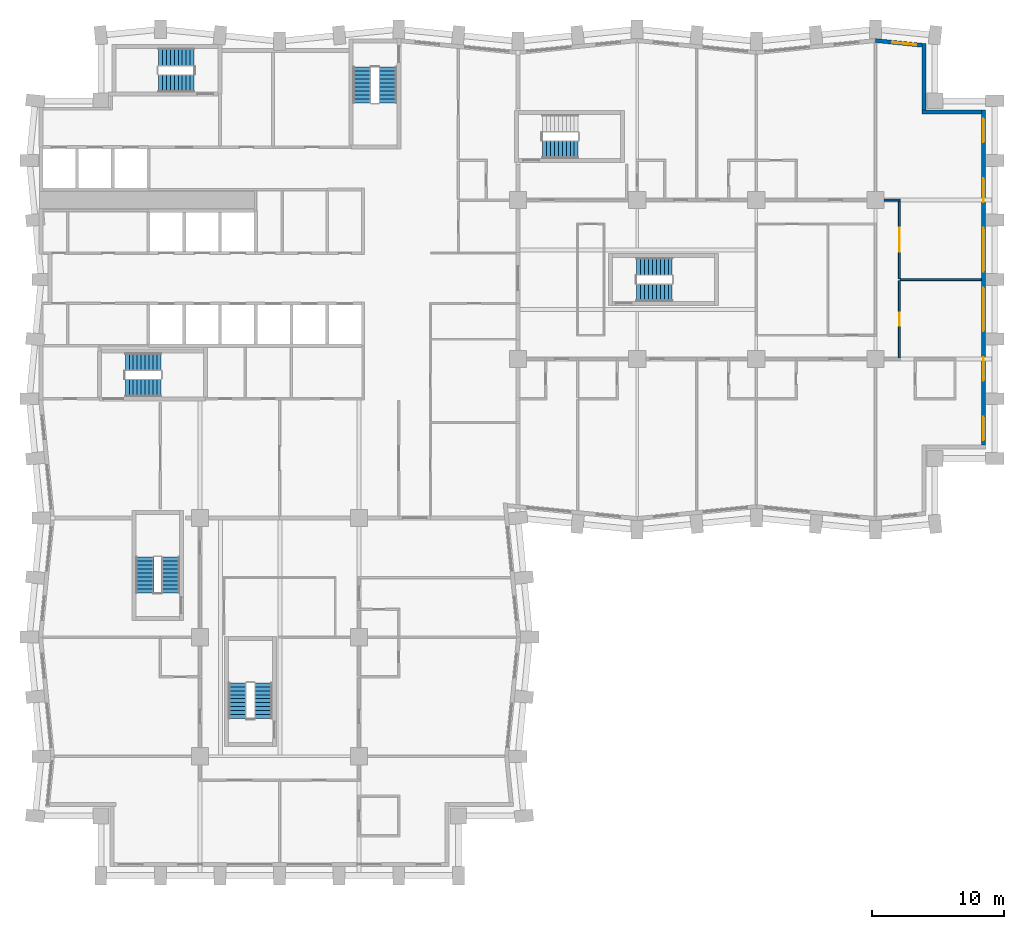
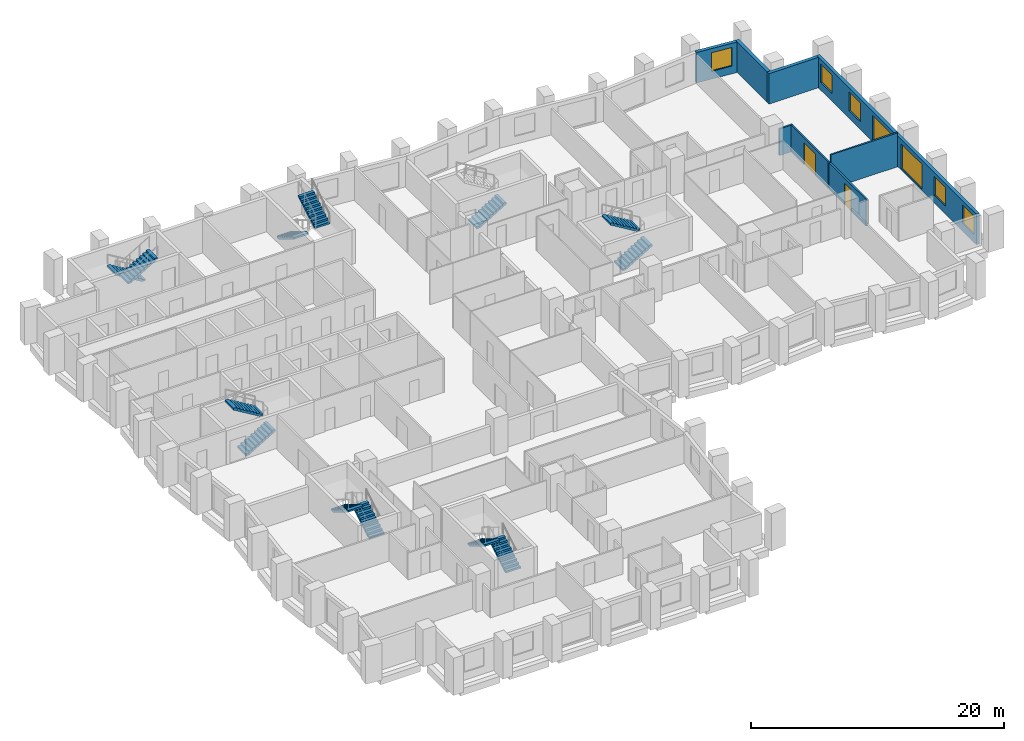
# One storey, part 10 of 13: 13 stair flights, 8 walls, 7 windows, 2 doors, 9 openings, 7 elements without a shape of their own.
"""IFC4 building model written with IfcOpenShell, lengths in metres."""

from ifc_helpers import new_model, si_unit, direction, frame, frame_2d, origin, place, context, subcontext, project, spatial, polyline, rectangle, outline, extrude, material, layer, layer_set, type_object, element, fill, aggregate, save


model = new_model("IFC4")

# Units and contexts
model_context = context("Model", 3, precision=1e-05, world=origin(), true_north=direction((0.0, 1.0)))
body_context = subcontext(model_context, "Body", "Model", "MODEL_VIEW")
ifc_project = project(units=[si_unit("LENGTHUNIT", "METRE"), si_unit("AREAUNIT", "SQUARE_METRE"), si_unit("VOLUMEUNIT", "CUBIC_METRE"), si_unit("PLANEANGLEUNIT", "RADIAN"), si_unit("MASSUNIT", "GRAM", prefix="KILO")], contexts=[model_context])

# Site, building, storey
site_placement = place(None, origin())
site = spatial("IfcSite", under=ifc_project, at=site_placement, CompositionType="ELEMENT")
building_placement = place(site_placement, origin())
building = spatial("IfcBuilding", under=site, at=building_placement, Name="Brondeck Convention Tower", CompositionType="ELEMENT")
storey_placement = place(building_placement, frame((0.0, 0.0, 48.300048828125)))
storey = spatial("IfcBuildingStorey", under=building, at=storey_placement, Name="L09", CompositionType="ELEMENT", Elevation=48.300048828125)

# Wall, openings, windows
ifc_material_1 = material(Name="Precast concrete C50/60 bronze finish", Category="concrete")
ifc_layer_1 = layer(ifc_material_1, 0.070068359375, Name="Bronze precast facing")
ifc_material_2 = material(Name="Mineral wool")
ifc_layer_2 = layer(ifc_material_2, 0.159912109375, Name="Insulation")
ifc_material_3 = material(Name="Concrete C35/45", Category="concrete")
ifc_layer_3 = layer(ifc_material_3, 0.070068359375, Name="Backing")
ifc_layer_set_1 = layer_set([ifc_layer_1, ifc_layer_2, ifc_layer_3], Name="External infill wall, precast concrete C50/60 bronze facing")
wall_type_1 = type_object("IfcWallType", Name="External infill wall, precast concrete C50/60 bronze facing", PredefinedType="SOLIDWALL", material=ifc_layer_set_1)
wall_1_placement = place(storey_placement, frame((71.14990234375, 57.800048828125, 0.0), z_axis=(0.0, 0.0, 1.0), x_axis=(0.0, -1.0, 0.0)))
wall_1 = element("IfcWall", 1, at=wall_1_placement, inside=storey, type_object=wall_type_1, Name="ENV-EW-L09-P0-A-E72-01", PredefinedType="SOLIDWALL", context=body_context, shape_type="SweptSolid", body=[
    extrude(rectangle(XDim=25.302001953125, YDim=0.300048828125, at=frame_2d((12.65087890625, 0.0))), origin(), (0.0, 0.0, 1.0), 2.949951171875),
])
opening_1_placement = place(wall_1_placement, frame((0.64990234375, 0.0, 0.75)))
opening_1 = element("IfcOpeningElement", 2, at=opening_1_placement, cuts=wall_1, Name="Opening W10", PredefinedType="OPENING", context=body_context, shape_type="SweptSolid", body=[
    extrude(rectangle(XDim=1.800048828125, YDim=1.800048828125, at=frame_2d((0.89990234375, 0.89990234375))), frame((0.0, 0.159912109375, 0.0), z_axis=(0.0, -1.0, 0.0), x_axis=(1.0, 0.0, 0.0)), (0.0, 0.0, 1.0), 0.320068359375),
])
opening_2_placement = place(wall_1_placement, frame((5.14990234375, 0.0, 0.75)))
opening_2 = element("IfcOpeningElement", 3, at=opening_2_placement, cuts=wall_1, Name="Opening W10", PredefinedType="OPENING", context=body_context, shape_type="SweptSolid", body=[
    extrude(rectangle(XDim=1.800048828125, YDim=1.800048828125, at=frame_2d((0.89990234375, 0.89990234375))), frame((0.0, 0.159912109375, 0.0), z_axis=(0.0, -1.0, 0.0), x_axis=(1.0, 0.0, 0.0)), (0.0, 0.0, 1.0), 0.320068359375),
])
opening_3_placement = place(wall_1_placement, frame((8.89990234375, 0.0, 0.14990234375)))
opening_3 = element("IfcOpeningElement", 4, at=opening_3_placement, cuts=wall_1, Name="Opening W9", PredefinedType="OPENING", context=body_context, shape_type="SweptSolid", body=[
    extrude(rectangle(XDim=3.300048828125, YDim=2.39990234375, at=frame_2d((1.64990234375, 1.199951171875))), frame((0.0, 0.159912109375, 0.0), z_axis=(0.0, -1.0, 0.0), x_axis=(1.0, 0.0, 0.0)), (0.0, 0.0, 1.0), 0.320068359375),
])
opening_4_placement = place(wall_1_placement, frame((13.39990234375, 0.0, 0.14990234375)))
opening_4 = element("IfcOpeningElement", 5, at=opening_4_placement, cuts=wall_1, Name="Opening W9", PredefinedType="OPENING", context=body_context, shape_type="SweptSolid", body=[
    extrude(rectangle(XDim=3.300048828125, YDim=2.39990234375, at=frame_2d((1.64990234375, 1.199951171875))), frame((0.0, 0.159912109375, 0.0), z_axis=(0.0, -1.0, 0.0), x_axis=(1.0, 0.0, 0.0)), (0.0, 0.0, 1.0), 0.320068359375),
])
opening_5_placement = place(wall_1_placement, frame((18.64990234375, 0.0, 0.75)))
opening_5 = element("IfcOpeningElement", 6, at=opening_5_placement, cuts=wall_1, Name="Opening W10", PredefinedType="OPENING", context=body_context, shape_type="SweptSolid", body=[
    extrude(rectangle(XDim=1.800048828125, YDim=1.800048828125, at=frame_2d((0.89990234375, 0.89990234375))), frame((0.0, 0.159912109375, 0.0), z_axis=(0.0, -1.0, 0.0), x_axis=(1.0, 0.0, 0.0)), (0.0, 0.0, 1.0), 0.320068359375),
])
opening_6_placement = place(wall_1_placement, frame((23.14990234375, 0.0, 0.75)))
opening_6 = element("IfcOpeningElement", 7, at=opening_6_placement, cuts=wall_1, Name="Opening W10", PredefinedType="OPENING", context=body_context, shape_type="SweptSolid", body=[
    extrude(rectangle(XDim=1.800048828125, YDim=1.800048828125, at=frame_2d((0.89990234375, 0.89990234375))), frame((0.0, 0.159912109375, 0.0), z_axis=(0.0, -1.0, 0.0), x_axis=(1.0, 0.0, 0.0)), (0.0, 0.0, 1.0), 0.320068359375),
])
ifc_material_4 = material(Name="Bronze tinted double glazing", Category="glass")
window_type_1 = type_object("IfcWindowType", Name="Glazed flute window, bronze tinted", PartitioningType="SINGLE_PANEL", PredefinedType="WINDOW", material=ifc_material_4)
window_1_placement = place(opening_3_placement, origin())
window_1 = element("IfcWindow", 8, at=window_1_placement, inside=storey, type_object=window_type_1, Name="ENV-WN-L09-P0-A-E72-04", OverallHeight=2.39990234375, OverallWidth=3.300048828125, PartitioningType="SINGLE_PANEL", PredefinedType="WINDOW", context=body_context, shape_type="SweptSolid", body=[
    extrude(rectangle(XDim=3.300048828125, YDim=2.39990234375, at=frame_2d((1.64990234375, 1.199951171875))), frame((0.0, 0.030029296875, 0.0), z_axis=(0.0, -1.0, 0.0), x_axis=(1.0, 0.0, 0.0)), (0.0, 0.0, 1.0), 0.06005859375),
])
fill(opening_3, window_1)
window_2_placement = place(opening_4_placement, origin())
window_2 = element("IfcWindow", 9, at=window_2_placement, inside=storey, type_object=window_type_1, Name="ENV-WN-L09-P0-A-E72-03", OverallHeight=2.39990234375, OverallWidth=3.300048828125, PartitioningType="SINGLE_PANEL", PredefinedType="WINDOW", context=body_context, shape_type="SweptSolid", body=[
    extrude(rectangle(XDim=3.300048828125, YDim=2.39990234375, at=frame_2d((1.64990234375, 1.199951171875))), frame((0.0, 0.030029296875, 0.0), z_axis=(0.0, -1.0, 0.0), x_axis=(1.0, 0.0, 0.0)), (0.0, 0.0, 1.0), 0.06005859375),
])
fill(opening_4, window_2)
window_type_2 = type_object("IfcWindowType", Name="Punched window, bronze tinted", PartitioningType="SINGLE_PANEL", PredefinedType="WINDOW", material=ifc_material_4)
window_3_placement = place(opening_1_placement, origin())
window_3 = element("IfcWindow", 10, at=window_3_placement, inside=storey, type_object=window_type_2, Name="ENV-WN-L09-P0-A-E72-06", OverallHeight=1.800048828125, OverallWidth=1.800048828125, PartitioningType="SINGLE_PANEL", PredefinedType="WINDOW", context=body_context, shape_type="SweptSolid", body=[
    extrude(rectangle(XDim=1.800048828125, YDim=1.800048828125, at=frame_2d((0.89990234375, 0.89990234375))), frame((0.0, 0.030029296875, 0.0), z_axis=(0.0, -1.0, 0.0), x_axis=(1.0, 0.0, 0.0)), (0.0, 0.0, 1.0), 0.06005859375),
])
fill(opening_1, window_3)
window_4_placement = place(opening_2_placement, origin())
window_4 = element("IfcWindow", 11, at=window_4_placement, inside=storey, type_object=window_type_2, Name="ENV-WN-L09-P0-A-E72-05", OverallHeight=1.800048828125, OverallWidth=1.800048828125, PartitioningType="SINGLE_PANEL", PredefinedType="WINDOW", context=body_context, shape_type="SweptSolid", body=[
    extrude(rectangle(XDim=1.800048828125, YDim=1.800048828125, at=frame_2d((0.89990234375, 0.89990234375))), frame((0.0, 0.030029296875, 0.0), z_axis=(0.0, -1.0, 0.0), x_axis=(1.0, 0.0, 0.0)), (0.0, 0.0, 1.0), 0.06005859375),
])
fill(opening_2, window_4)
window_5_placement = place(opening_5_placement, origin())
window_5 = element("IfcWindow", 12, at=window_5_placement, inside=storey, type_object=window_type_2, Name="ENV-WN-L09-P0-A-E72-02", OverallHeight=1.800048828125, OverallWidth=1.800048828125, PartitioningType="SINGLE_PANEL", PredefinedType="WINDOW", context=body_context, shape_type="SweptSolid", body=[
    extrude(rectangle(XDim=1.800048828125, YDim=1.800048828125, at=frame_2d((0.89990234375, 0.89990234375))), frame((0.0, 0.030029296875, 0.0), z_axis=(0.0, -1.0, 0.0), x_axis=(1.0, 0.0, 0.0)), (0.0, 0.0, 1.0), 0.06005859375),
])
fill(opening_5, window_5)
window_6_placement = place(opening_6_placement, origin())
window_6 = element("IfcWindow", 13, at=window_6_placement, inside=storey, type_object=window_type_2, Name="ENV-WN-L09-P0-A-E72-01", OverallHeight=1.800048828125, OverallWidth=1.800048828125, PartitioningType="SINGLE_PANEL", PredefinedType="WINDOW", context=body_context, shape_type="SweptSolid", body=[
    extrude(rectangle(XDim=1.800048828125, YDim=1.800048828125, at=frame_2d((0.89990234375, 0.89990234375))), frame((0.0, 0.030029296875, 0.0), z_axis=(0.0, -1.0, 0.0), x_axis=(1.0, 0.0, 0.0)), (0.0, 0.0, 1.0), 0.06005859375),
])
fill(opening_6, window_6)

# Walls
wall_2_placement = place(storey_placement, frame((66.5, 57.64990234375, 0.0), z_axis=(0.0, 0.0, 1.0), x_axis=(1.0, 0.0, 0.0)))
element("IfcWall", 14, at=wall_2_placement, inside=storey, type_object=wall_type_1, Name="ENV-EW-L09-P0-NC-NEA72-01", PredefinedType="SOLIDWALL", context=body_context, shape_type="SweptSolid", body=[
    extrude(rectangle(XDim=4.5, YDim=0.300048828125, at=frame_2d((2.25, 0.0))), origin(), (0.0, 0.0, 1.0), 2.949951171875),
])
wall_3_placement = place(storey_placement, frame((66.64990234375, 62.81640625, 0.0), z_axis=(0.0, 0.0, 1.0), x_axis=(0.0, -1.0, 0.0)))
element("IfcWall", 15, at=wall_3_placement, inside=storey, type_object=wall_type_1, Name="ENV-EW-L09-P0-NC-NEA72-02", PredefinedType="SOLIDWALL", context=body_context, shape_type="SweptSolid", body=[
    extrude(rectangle(XDim=5.018310546875, YDim=0.300048828125, at=frame_2d((2.50927734375, 0.0))), origin(), (0.0, 0.0, 1.0), 2.949951171875),
])

# Wall, opening, window
wall_4_placement = place(storey_placement, frame((62.985107421875, 63.04736328125, 0.0), z_axis=(0.0, 0.0, 1.0), x_axis=(0.995031712439, -0.099558481511, 0.0)))
wall_4 = element("IfcWall", 16, at=wall_4_placement, inside=storey, type_object=wall_type_1, Name="ENV-EW-L09-P0-A-N-14", PredefinedType="SOLIDWALL", context=body_context, shape_type="SweptSolid", body=[
    extrude(rectangle(XDim=3.53125, YDim=0.300048828125, at=frame_2d((1.765625, 0.0))), origin(), (0.0, 0.0, 1.0), 2.949951171875),
])
opening_7_placement = place(wall_4_placement, frame((1.291259765625, 0.0, 0.75)))
opening_7 = element("IfcOpeningElement", 17, at=opening_7_placement, cuts=wall_4, Name="Opening W10", PredefinedType="OPENING", context=body_context, shape_type="SweptSolid", body=[
    extrude(rectangle(XDim=1.800048828125, YDim=1.800048828125, at=frame_2d((0.89990234375, 0.89990234375))), frame((0.0, 0.159912109375, 0.0), z_axis=(0.0, -1.0, 0.0), x_axis=(1.0, 0.0, 0.0)), (0.0, 0.0, 1.0), 0.320068359375),
])
window_7_placement = place(opening_7_placement, origin())
window_7 = element("IfcWindow", 18, at=window_7_placement, inside=storey, type_object=window_type_2, Name="ENV-WN-L09-P0-A-N-14", OverallHeight=1.800048828125, OverallWidth=1.800048828125, PartitioningType="SINGLE_PANEL", PredefinedType="WINDOW", context=body_context, shape_type="SweptSolid", body=[
    extrude(rectangle(XDim=1.800048828125, YDim=1.800048828125, at=frame_2d((0.89990234375, 0.89990234375))), frame((0.0, 0.030029296875, 0.0), z_axis=(0.0, -1.0, 0.0), x_axis=(1.0, 0.0, 0.0)), (0.0, 0.0, 1.0), 0.06005859375),
])
fill(opening_7, window_7)

# Wall, opening, door
ifc_material_5 = material(Name="Double gypsum board acoustic wall")
ifc_layer_4 = layer(ifc_material_5, 0.14990234375)
ifc_layer_set_2 = layer_set([ifc_layer_4], Name="Guest room party wall 150")
wall_type_2 = type_object("IfcWallType", Name="Guest room party wall 150", PredefinedType="PARTITIONING", material=ifc_layer_set_2)
wall_5_placement = place(storey_placement, frame((64.800048828125, 44.925048828125, 0.0), z_axis=(0.0, 0.0, 1.0), x_axis=(0.0, -1.0, 0.0)))
wall_5 = element("IfcWall", 19, at=wall_5_placement, inside=storey, type_object=wall_type_2, Name="FLR-L09-W088", PredefinedType="PARTITIONING", context=body_context, shape_type="SweptSolid", body=[
    extrude(rectangle(XDim=5.85009765625, YDim=0.14990234375, at=frame_2d((2.925048828125, 0.0))), origin(), (0.0, 0.0, 1.0), 2.579833984375),
])
opening_8_placement = place(wall_5_placement, frame((2.425048828125, 0.0, 0.0)))
opening_8 = element("IfcOpeningElement", 20, at=opening_8_placement, cuts=wall_5, Name="Opening H2-020", PredefinedType="OPENING", context=body_context, shape_type="SweptSolid", body=[
    extrude(rectangle(XDim=1.0, YDim=2.10009765625, at=frame_2d((0.5, 1.050048828125))), frame((0.0, 0.0849609375, 0.0), z_axis=(0.0, -1.0, 0.0), x_axis=(1.0, 0.0, 0.0)), (0.0, 0.0, 1.0), 0.169921875),
])
ifc_material_6 = material(Name="Solid timber fire door leaf", Category="wood")
door_type_1 = type_object("IfcDoorType", Name="Guest room door 1000", OperationType="NOTDEFINED", PredefinedType="DOOR", material=ifc_material_6)
door_1_placement = place(opening_8_placement, origin())
door_1 = element("IfcDoor", 21, at=door_1_placement, inside=storey, type_object=door_type_1, Name="Door H2-020", OperationType="SINGLE_SWING_LEFT", OverallHeight=2.10009765625, OverallWidth=1.0, PredefinedType="DOOR", context=body_context, shape_type="SweptSolid", body=[
    extrude(rectangle(XDim=1.0, YDim=2.10009765625, at=frame_2d((0.5, 1.050048828125))), frame((0.0, 0.02490234375, 0.0), z_axis=(0.0, -1.0, 0.0), x_axis=(1.0, 0.0, 0.0)), (0.0, 0.0, 1.0), 0.050048828125),
])
fill(opening_8, door_1)

# Wall
wall_6_placement = place(storey_placement, frame((70.97998046875, 45.0, 0.0), z_axis=(0.0, 0.0, 1.0), x_axis=(-1.0, 0.0, 0.0)))
element("IfcWall", 22, at=wall_6_placement, inside=storey, type_object=wall_type_2, Name="FLR-L09-W089", PredefinedType="PARTITIONING", context=body_context, shape_type="SweptSolid", body=[
    extrude(rectangle(XDim=6.10498046875, YDim=0.14990234375, at=frame_2d((3.052490234375, 0.0))), origin(), (0.0, 0.0, 1.0), 3.280029296875),
])

# Wall, opening, door
wall_7_placement = place(storey_placement, frame((64.800048828125, 50.925048828125, 0.0), z_axis=(0.0, 0.0, 1.0), x_axis=(0.0, -1.0, 0.0)))
wall_7 = element("IfcWall", 23, at=wall_7_placement, inside=storey, type_object=wall_type_2, Name="FLR-L09-W102", PredefinedType="PARTITIONING", context=body_context, shape_type="SweptSolid", body=[
    extrude(rectangle(XDim=5.85009765625, YDim=0.14990234375, at=frame_2d((2.925048828125, 0.0))), origin(), (0.0, 0.0, 1.0), 2.579833984375),
])
opening_9_placement = place(wall_7_placement, frame((2.02490234375, 0.0, 0.0)))
opening_9 = element("IfcOpeningElement", 24, at=opening_9_placement, cuts=wall_7, Name="Opening H2-019", PredefinedType="OPENING", context=body_context, shape_type="SweptSolid", body=[
    extrude(rectangle(XDim=1.800048828125, YDim=2.10009765625, at=frame_2d((0.89990234375, 1.050048828125))), frame((0.0, 0.0849609375, 0.0), z_axis=(0.0, -1.0, 0.0), x_axis=(1.0, 0.0, 0.0)), (0.0, 0.0, 1.0), 0.169921875),
])
ifc_material_7 = material(Name="Glazed timber double door", Category="wood")
door_type_2 = type_object("IfcDoorType", Name="Double door 1800", OperationType="DOUBLE_DOOR_SINGLE_SWING", PredefinedType="DOOR", material=ifc_material_7)
door_2_placement = place(opening_9_placement, origin())
door_2 = element("IfcDoor", 25, at=door_2_placement, inside=storey, type_object=door_type_2, Name="Door H2-019", OperationType="DOUBLE_DOOR_SINGLE_SWING", OverallHeight=2.10009765625, OverallWidth=1.800048828125, PredefinedType="DOOR", context=body_context, shape_type="SweptSolid", body=[
    extrude(rectangle(XDim=1.800048828125, YDim=2.10009765625, at=frame_2d((0.89990234375, 1.050048828125))), frame((0.0, 0.02490234375, 0.0), z_axis=(0.0, -1.0, 0.0), x_axis=(1.0, 0.0, 0.0)), (0.0, 0.0, 1.0), 0.050048828125),
])
fill(opening_9, door_2)

# Wall
wall_8_placement = place(storey_placement, frame((63.655029296875, 51.0, 0.0), z_axis=(0.0, 0.0, 1.0), x_axis=(1.0, 0.0, 0.0)))
element("IfcWall", 26, at=wall_8_placement, inside=storey, type_object=wall_type_2, Name="FLR-L09-W113", PredefinedType="PARTITIONING", context=body_context, shape_type="SweptSolid", body=[
    extrude(rectangle(XDim=1.219970703125, YDim=0.14990234375, at=frame_2d((0.60986328125, 0.0))), origin(), (0.0, 0.0, 1.0), 2.579833984375),
])

# Stair, stair flights
ifc_material_8 = material(Name="Precast concrete C50/60", Category="concrete")
stair_type = type_object("IfcStairType", Name="Core stair 20 risers 180.00 mm riser 300 mm going 1350 wide", PredefinedType="HALF_TURN_STAIR", material=ifc_material_8)
stair_1_placement = place(storey_placement, origin())
stair_1 = element("IfcStair", 27, at=stair_1_placement, inside=storey, type_object=stair_type, Name="ST-1 L09 stair", PredefinedType="HALF_TURN_STAIR")
stair_flight_type = type_object("IfcStairFlightType", Name="Core stair flight 20 risers 180.00 mm riser 300 mm going 1350 wide", PredefinedType="STRAIGHT", material=ifc_material_8)
stair_flight_1_placement = place(storey_placement, frame((6.35009765625, 36.824951171875, 0.0), z_axis=(0.0, 0.0, 1.0), x_axis=(1.0, 0.0, 0.0)))
stair_flight_1 = element("IfcStairFlight", 28, at=stair_flight_1_placement, type_object=stair_flight_type, Name="ST-1 flight 1", NumberOfRisers=10, NumberOfTreads=9, PredefinedType="STRAIGHT", RiserHeight=0.18, TreadLength=0.3, context=body_context, shape_type="SweptSolid", body=[
    extrude(outline(polyline([(0.0, 0.0), (0.0, 0.179931640625), (0.300048828125, 0.179931640625), (0.300048828125, 0.360107421875), (0.60009765625, 0.360107421875), (0.60009765625, 0.5400390625), (0.89990234375, 0.5400390625), (0.89990234375, 0.719970703125), (1.199951171875, 0.719970703125), (1.199951171875, 0.89990234375), (1.5, 0.89990234375), (1.5, 1.080078125), (1.800048828125, 1.080078125), (1.800048828125, 1.260009765625), (2.10009765625, 1.260009765625), (2.10009765625, 1.43994140625), (2.39990234375, 1.43994140625), (2.39990234375, 1.6201171875), (2.699951171875, 1.6201171875), (2.699951171875, 1.800048828125), (2.699951171875, 1.445068359375), (0.291259765625, 0.0), (0.0, 0.0)])), frame((0.0, 0.675048828125, 0.0), z_axis=(0.0, -1.0, 0.0), x_axis=(1.0, 0.0, 0.0)), (0.0, 0.0, 1.0), 1.35009765625),
])
stair_flight_2_placement = place(storey_placement, frame((9.050048828125, 38.77490234375, 1.800048828125), z_axis=(0.0, 0.0, 1.0), x_axis=(-1.0, 0.0, 0.0)))
stair_flight_2 = element("IfcStairFlight", 29, at=stair_flight_2_placement, type_object=stair_flight_type, Name="ST-1 flight 2", NumberOfRisers=10, NumberOfTreads=9, PredefinedType="STRAIGHT", RiserHeight=0.18, TreadLength=0.3, context=body_context, shape_type="SweptSolid", body=[
    extrude(outline(polyline([(0.0, 0.0), (0.0, 0.179931640625), (0.300048828125, 0.179931640625), (0.300048828125, 0.360107421875), (0.60009765625, 0.360107421875), (0.60009765625, 0.5400390625), (0.89990234375, 0.5400390625), (0.89990234375, 0.719970703125), (1.199951171875, 0.719970703125), (1.199951171875, 0.89990234375), (1.5, 0.89990234375), (1.5, 1.080078125), (1.800048828125, 1.080078125), (1.800048828125, 1.260009765625), (2.10009765625, 1.260009765625), (2.10009765625, 1.43994140625), (2.39990234375, 1.43994140625), (2.39990234375, 1.6201171875), (2.699951171875, 1.6201171875), (2.699951171875, 1.800048828125), (2.699951171875, 1.445068359375), (0.291259765625, 0.0), (0.0, 0.0)])), frame((0.0, 0.675048828125, 0.0), z_axis=(0.0, -1.0, 0.0), x_axis=(1.0, 0.0, 0.0)), (0.0, 0.0, 1.0), 1.35009765625),
])
aggregate(stair_1, [stair_flight_1, stair_flight_2])

stair_2_placement = place(storey_placement, origin())
stair_2 = element("IfcStair", 30, at=stair_2_placement, inside=storey, type_object=stair_type, Name="ST-2 L09 stair", PredefinedType="HALF_TURN_STAIR")
stair_flight_3_placement = place(storey_placement, frame((24.22509765625, 61.050048828125, 0.0), z_axis=(0.0, 0.0, 1.0), x_axis=(0.0, -1.0, 0.0)))
stair_flight_3 = element("IfcStairFlight", 31, at=stair_flight_3_placement, type_object=stair_flight_type, Name="ST-2 flight 1", NumberOfRisers=10, NumberOfTreads=9, PredefinedType="STRAIGHT", RiserHeight=0.18, TreadLength=0.3, context=body_context, shape_type="SweptSolid", body=[
    extrude(outline(polyline([(0.0, 0.0), (0.0, 0.179931640625), (0.300048828125, 0.179931640625), (0.300048828125, 0.360107421875), (0.60009765625, 0.360107421875), (0.60009765625, 0.5400390625), (0.89990234375, 0.5400390625), (0.89990234375, 0.719970703125), (1.199951171875, 0.719970703125), (1.199951171875, 0.89990234375), (1.5, 0.89990234375), (1.5, 1.080078125), (1.800048828125, 1.080078125), (1.800048828125, 1.260009765625), (2.10009765625, 1.260009765625), (2.10009765625, 1.43994140625), (2.39990234375, 1.43994140625), (2.39990234375, 1.6201171875), (2.699951171875, 1.6201171875), (2.699951171875, 1.800048828125), (2.699951171875, 1.445068359375), (0.291259765625, 0.0), (0.0, 0.0)])), frame((0.0, 0.675048828125, 0.0), z_axis=(0.0, -1.0, 0.0), x_axis=(1.0, 0.0, 0.0)), (0.0, 0.0, 1.0), 1.35009765625),
])
stair_flight_4_placement = place(storey_placement, frame((26.175048828125, 58.35009765625, 1.800048828125), z_axis=(0.0, 0.0, 1.0), x_axis=(0.0, 1.0, 0.0)))
stair_flight_4 = element("IfcStairFlight", 32, at=stair_flight_4_placement, type_object=stair_flight_type, Name="ST-2 flight 2", NumberOfRisers=10, NumberOfTreads=9, PredefinedType="STRAIGHT", RiserHeight=0.18, TreadLength=0.3, context=body_context, shape_type="SweptSolid", body=[
    extrude(outline(polyline([(0.0, 0.0), (0.0, 0.179931640625), (0.300048828125, 0.179931640625), (0.300048828125, 0.360107421875), (0.60009765625, 0.360107421875), (0.60009765625, 0.5400390625), (0.89990234375, 0.5400390625), (0.89990234375, 0.719970703125), (1.199951171875, 0.719970703125), (1.199951171875, 0.89990234375), (1.5, 0.89990234375), (1.5, 1.080078125), (1.800048828125, 1.080078125), (1.800048828125, 1.260009765625), (2.10009765625, 1.260009765625), (2.10009765625, 1.43994140625), (2.39990234375, 1.43994140625), (2.39990234375, 1.6201171875), (2.699951171875, 1.6201171875), (2.699951171875, 1.800048828125), (2.699951171875, 1.445068359375), (0.291259765625, 0.0), (0.0, 0.0)])), frame((0.0, 0.675048828125, 0.0), z_axis=(0.0, -1.0, 0.0), x_axis=(1.0, 0.0, 0.0)), (0.0, 0.0, 1.0), 1.35009765625),
])
aggregate(stair_2, [stair_flight_3, stair_flight_4])

stair_3_placement = place(storey_placement, origin())
stair_3 = element("IfcStair", 33, at=stair_3_placement, inside=storey, type_object=stair_type, Name="ST-3 L09 stair", PredefinedType="HALF_TURN_STAIR")
stair_flight_5_placement = place(storey_placement, frame((11.550048828125, 61.77490234375, 0.0), z_axis=(0.0, 0.0, 1.0), x_axis=(-1.0, 0.0, 0.0)))
stair_flight_5 = element("IfcStairFlight", 34, at=stair_flight_5_placement, type_object=stair_flight_type, Name="ST-3 flight 1", NumberOfRisers=10, NumberOfTreads=9, PredefinedType="STRAIGHT", RiserHeight=0.18, TreadLength=0.3, context=body_context, shape_type="SweptSolid", body=[
    extrude(outline(polyline([(0.0, 0.0), (0.0, 0.179931640625), (0.300048828125, 0.179931640625), (0.300048828125, 0.360107421875), (0.60009765625, 0.360107421875), (0.60009765625, 0.5400390625), (0.89990234375, 0.5400390625), (0.89990234375, 0.719970703125), (1.199951171875, 0.719970703125), (1.199951171875, 0.89990234375), (1.5, 0.89990234375), (1.5, 1.080078125), (1.800048828125, 1.080078125), (1.800048828125, 1.260009765625), (2.10009765625, 1.260009765625), (2.10009765625, 1.43994140625), (2.39990234375, 1.43994140625), (2.39990234375, 1.6201171875), (2.699951171875, 1.6201171875), (2.699951171875, 1.800048828125), (2.699951171875, 1.445068359375), (0.291259765625, 0.0), (0.0, 0.0)])), frame((0.0, 0.675048828125, 0.0), z_axis=(0.0, -1.0, 0.0), x_axis=(1.0, 0.0, 0.0)), (0.0, 0.0, 1.0), 1.35009765625),
])
stair_flight_6_placement = place(storey_placement, frame((8.85009765625, 59.824951171875, 1.800048828125), z_axis=(0.0, 0.0, 1.0), x_axis=(1.0, 0.0, 0.0)))
stair_flight_6 = element("IfcStairFlight", 35, at=stair_flight_6_placement, type_object=stair_flight_type, Name="ST-3 flight 2", NumberOfRisers=10, NumberOfTreads=9, PredefinedType="STRAIGHT", RiserHeight=0.18, TreadLength=0.3, context=body_context, shape_type="SweptSolid", body=[
    extrude(outline(polyline([(0.0, 0.0), (0.0, 0.179931640625), (0.300048828125, 0.179931640625), (0.300048828125, 0.360107421875), (0.60009765625, 0.360107421875), (0.60009765625, 0.5400390625), (0.89990234375, 0.5400390625), (0.89990234375, 0.719970703125), (1.199951171875, 0.719970703125), (1.199951171875, 0.89990234375), (1.5, 0.89990234375), (1.5, 1.080078125), (1.800048828125, 1.080078125), (1.800048828125, 1.260009765625), (2.10009765625, 1.260009765625), (2.10009765625, 1.43994140625), (2.39990234375, 1.43994140625), (2.39990234375, 1.6201171875), (2.699951171875, 1.6201171875), (2.699951171875, 1.800048828125), (2.699951171875, 1.445068359375), (0.291259765625, 0.0), (0.0, 0.0)])), frame((0.0, 0.675048828125, 0.0), z_axis=(0.0, -1.0, 0.0), x_axis=(1.0, 0.0, 0.0)), (0.0, 0.0, 1.0), 1.35009765625),
])
aggregate(stair_3, [stair_flight_5, stair_flight_6])

# Stair, stair flight
stair_4_placement = place(storey_placement, origin())
stair_4 = element("IfcStair", 36, at=stair_4_placement, inside=storey, type_object=stair_type, Name="ST-AE L09 stair", PredefinedType="HALF_TURN_STAIR")
stair_flight_7_placement = place(storey_placement, frame((37.85009765625, 54.824951171875, 0.0), z_axis=(0.0, 0.0, 1.0), x_axis=(1.0, 0.0, 0.0)))
stair_flight_7 = element("IfcStairFlight", 37, at=stair_flight_7_placement, type_object=stair_flight_type, Name="ST-AE flight 1", NumberOfRisers=10, NumberOfTreads=9, PredefinedType="STRAIGHT", RiserHeight=0.18, TreadLength=0.3, context=body_context, shape_type="SweptSolid", body=[
    extrude(outline(polyline([(0.0, 0.0), (0.0, 0.179931640625), (0.300048828125, 0.179931640625), (0.300048828125, 0.360107421875), (0.60009765625, 0.360107421875), (0.60009765625, 0.5400390625), (0.89990234375, 0.5400390625), (0.89990234375, 0.719970703125), (1.199951171875, 0.719970703125), (1.199951171875, 0.89990234375), (1.5, 0.89990234375), (1.5, 1.080078125), (1.800048828125, 1.080078125), (1.800048828125, 1.260009765625), (2.10009765625, 1.260009765625), (2.10009765625, 1.43994140625), (2.39990234375, 1.43994140625), (2.39990234375, 1.6201171875), (2.699951171875, 1.6201171875), (2.699951171875, 1.800048828125), (2.699951171875, 1.445068359375), (0.291259765625, 0.0), (0.0, 0.0)])), frame((0.0, 0.675048828125, 0.0), z_axis=(0.0, -1.0, 0.0), x_axis=(1.0, 0.0, 0.0)), (0.0, 0.0, 1.0), 1.35009765625),
])
aggregate(stair_4, [stair_flight_7])

# Stair, stair flights
stair_5_placement = place(storey_placement, origin())
stair_5 = element("IfcStair", 38, at=stair_5_placement, inside=storey, type_object=stair_type, Name="ST-BE L09 stair", PredefinedType="HALF_TURN_STAIR")
stair_flight_8_placement = place(storey_placement, frame((9.77490234375, 21.35009765625, 0.0), z_axis=(0.0, 0.0, 1.0), x_axis=(0.0, 1.0, 0.0)))
stair_flight_8 = element("IfcStairFlight", 39, at=stair_flight_8_placement, type_object=stair_flight_type, Name="ST-BE flight 1", NumberOfRisers=10, NumberOfTreads=9, PredefinedType="STRAIGHT", RiserHeight=0.18, TreadLength=0.3, context=body_context, shape_type="SweptSolid", body=[
    extrude(outline(polyline([(0.0, 0.0), (0.0, 0.179931640625), (0.300048828125, 0.179931640625), (0.300048828125, 0.360107421875), (0.60009765625, 0.360107421875), (0.60009765625, 0.5400390625), (0.89990234375, 0.5400390625), (0.89990234375, 0.719970703125), (1.199951171875, 0.719970703125), (1.199951171875, 0.89990234375), (1.5, 0.89990234375), (1.5, 1.080078125), (1.800048828125, 1.080078125), (1.800048828125, 1.260009765625), (2.10009765625, 1.260009765625), (2.10009765625, 1.43994140625), (2.39990234375, 1.43994140625), (2.39990234375, 1.6201171875), (2.699951171875, 1.6201171875), (2.699951171875, 1.800048828125), (2.699951171875, 1.445068359375), (0.291259765625, 0.0), (0.0, 0.0)])), frame((0.0, 0.675048828125, 0.0), z_axis=(0.0, -1.0, 0.0), x_axis=(1.0, 0.0, 0.0)), (0.0, 0.0, 1.0), 1.35009765625),
])
stair_flight_9_placement = place(storey_placement, frame((7.824951171875, 24.050048828125, 1.800048828125), z_axis=(0.0, 0.0, 1.0), x_axis=(0.0, -1.0, 0.0)))
stair_flight_9 = element("IfcStairFlight", 40, at=stair_flight_9_placement, type_object=stair_flight_type, Name="ST-BE flight 2", NumberOfRisers=10, NumberOfTreads=9, PredefinedType="STRAIGHT", RiserHeight=0.18, TreadLength=0.3, context=body_context, shape_type="SweptSolid", body=[
    extrude(outline(polyline([(0.0, 0.0), (0.0, 0.179931640625), (0.300048828125, 0.179931640625), (0.300048828125, 0.360107421875), (0.60009765625, 0.360107421875), (0.60009765625, 0.5400390625), (0.89990234375, 0.5400390625), (0.89990234375, 0.719970703125), (1.199951171875, 0.719970703125), (1.199951171875, 0.89990234375), (1.5, 0.89990234375), (1.5, 1.080078125), (1.800048828125, 1.080078125), (1.800048828125, 1.260009765625), (2.10009765625, 1.260009765625), (2.10009765625, 1.43994140625), (2.39990234375, 1.43994140625), (2.39990234375, 1.6201171875), (2.699951171875, 1.6201171875), (2.699951171875, 1.800048828125), (2.699951171875, 1.445068359375), (0.291259765625, 0.0), (0.0, 0.0)])), frame((0.0, 0.675048828125, 0.0), z_axis=(0.0, -1.0, 0.0), x_axis=(1.0, 0.0, 0.0)), (0.0, 0.0, 1.0), 1.35009765625),
])
aggregate(stair_5, [stair_flight_8, stair_flight_9])

stair_6_placement = place(storey_placement, origin())
stair_6 = element("IfcStair", 41, at=stair_6_placement, inside=storey, type_object=stair_type, Name="ST-AF L09 stair", PredefinedType="HALF_TURN_STAIR")
stair_flight_10_placement = place(storey_placement, frame((44.949951171875, 44.02490234375, 0.0), z_axis=(0.0, 0.0, 1.0), x_axis=(1.0, 0.0, 0.0)))
stair_flight_10 = element("IfcStairFlight", 42, at=stair_flight_10_placement, type_object=stair_flight_type, Name="ST-AF flight 1", NumberOfRisers=10, NumberOfTreads=9, PredefinedType="STRAIGHT", RiserHeight=0.18, TreadLength=0.3, context=body_context, shape_type="SweptSolid", body=[
    extrude(outline(polyline([(0.0, 0.0), (0.0, 0.179931640625), (0.300048828125, 0.179931640625), (0.300048828125, 0.360107421875), (0.60009765625, 0.360107421875), (0.60009765625, 0.5400390625), (0.89990234375, 0.5400390625), (0.89990234375, 0.719970703125), (1.199951171875, 0.719970703125), (1.199951171875, 0.89990234375), (1.5, 0.89990234375), (1.5, 1.080078125), (1.800048828125, 1.080078125), (1.800048828125, 1.260009765625), (2.10009765625, 1.260009765625), (2.10009765625, 1.43994140625), (2.39990234375, 1.43994140625), (2.39990234375, 1.6201171875), (2.699951171875, 1.6201171875), (2.699951171875, 1.800048828125), (2.699951171875, 1.445068359375), (0.291259765625, 0.0), (0.0, 0.0)])), frame((0.0, 0.675048828125, 0.0), z_axis=(0.0, -1.0, 0.0), x_axis=(1.0, 0.0, 0.0)), (0.0, 0.0, 1.0), 1.35009765625),
])
stair_flight_11_placement = place(storey_placement, frame((47.64990234375, 45.97509765625, 1.800048828125), z_axis=(0.0, 0.0, 1.0), x_axis=(-1.0, 0.0, 0.0)))
stair_flight_11 = element("IfcStairFlight", 43, at=stair_flight_11_placement, type_object=stair_flight_type, Name="ST-AF flight 2", NumberOfRisers=10, NumberOfTreads=9, PredefinedType="STRAIGHT", RiserHeight=0.18, TreadLength=0.3, context=body_context, shape_type="SweptSolid", body=[
    extrude(outline(polyline([(0.0, 0.0), (0.0, 0.179931640625), (0.300048828125, 0.179931640625), (0.300048828125, 0.360107421875), (0.60009765625, 0.360107421875), (0.60009765625, 0.5400390625), (0.89990234375, 0.5400390625), (0.89990234375, 0.719970703125), (1.199951171875, 0.719970703125), (1.199951171875, 0.89990234375), (1.5, 0.89990234375), (1.5, 1.080078125), (1.800048828125, 1.080078125), (1.800048828125, 1.260009765625), (2.10009765625, 1.260009765625), (2.10009765625, 1.43994140625), (2.39990234375, 1.43994140625), (2.39990234375, 1.6201171875), (2.699951171875, 1.6201171875), (2.699951171875, 1.800048828125), (2.699951171875, 1.445068359375), (0.291259765625, 0.0), (0.0, 0.0)])), frame((0.0, 0.675048828125, 0.0), z_axis=(0.0, -1.0, 0.0), x_axis=(1.0, 0.0, 0.0)), (0.0, 0.0, 1.0), 1.35009765625),
])
aggregate(stair_6, [stair_flight_10, stair_flight_11])

stair_7_placement = place(storey_placement, origin())
stair_7 = element("IfcStair", 44, at=stair_7_placement, inside=storey, type_object=stair_type, Name="ST-BF L09 stair", PredefinedType="HALF_TURN_STAIR")
stair_flight_12_placement = place(storey_placement, frame((16.77490234375, 11.85009765625, 0.0), z_axis=(0.0, 0.0, 1.0), x_axis=(0.0, 1.0, 0.0)))
stair_flight_12 = element("IfcStairFlight", 45, at=stair_flight_12_placement, type_object=stair_flight_type, Name="ST-BF flight 1", NumberOfRisers=10, NumberOfTreads=9, PredefinedType="STRAIGHT", RiserHeight=0.18, TreadLength=0.3, context=body_context, shape_type="SweptSolid", body=[
    extrude(outline(polyline([(0.0, 0.0), (0.0, 0.179931640625), (0.300048828125, 0.179931640625), (0.300048828125, 0.360107421875), (0.60009765625, 0.360107421875), (0.60009765625, 0.5400390625), (0.89990234375, 0.5400390625), (0.89990234375, 0.719970703125), (1.199951171875, 0.719970703125), (1.199951171875, 0.89990234375), (1.5, 0.89990234375), (1.5, 1.080078125), (1.800048828125, 1.080078125), (1.800048828125, 1.260009765625), (2.10009765625, 1.260009765625), (2.10009765625, 1.43994140625), (2.39990234375, 1.43994140625), (2.39990234375, 1.6201171875), (2.699951171875, 1.6201171875), (2.699951171875, 1.800048828125), (2.699951171875, 1.445068359375), (0.291259765625, 0.0), (0.0, 0.0)])), frame((0.0, 0.675048828125, 0.0), z_axis=(0.0, -1.0, 0.0), x_axis=(1.0, 0.0, 0.0)), (0.0, 0.0, 1.0), 1.35009765625),
])
stair_flight_13_placement = place(storey_placement, frame((14.824951171875, 14.550048828125, 1.800048828125), z_axis=(0.0, 0.0, 1.0), x_axis=(0.0, -1.0, 0.0)))
stair_flight_13 = element("IfcStairFlight", 46, at=stair_flight_13_placement, type_object=stair_flight_type, Name="ST-BF flight 2", NumberOfRisers=10, NumberOfTreads=9, PredefinedType="STRAIGHT", RiserHeight=0.18, TreadLength=0.3, context=body_context, shape_type="SweptSolid", body=[
    extrude(outline(polyline([(0.0, 0.0), (0.0, 0.179931640625), (0.300048828125, 0.179931640625), (0.300048828125, 0.360107421875), (0.60009765625, 0.360107421875), (0.60009765625, 0.5400390625), (0.89990234375, 0.5400390625), (0.89990234375, 0.719970703125), (1.199951171875, 0.719970703125), (1.199951171875, 0.89990234375), (1.5, 0.89990234375), (1.5, 1.080078125), (1.800048828125, 1.080078125), (1.800048828125, 1.260009765625), (2.10009765625, 1.260009765625), (2.10009765625, 1.43994140625), (2.39990234375, 1.43994140625), (2.39990234375, 1.6201171875), (2.699951171875, 1.6201171875), (2.699951171875, 1.800048828125), (2.699951171875, 1.445068359375), (0.291259765625, 0.0), (0.0, 0.0)])), frame((0.0, 0.675048828125, 0.0), z_axis=(0.0, -1.0, 0.0), x_axis=(1.0, 0.0, 0.0)), (0.0, 0.0, 1.0), 1.35009765625),
])
aggregate(stair_7, [stair_flight_12, stair_flight_13])

save(model, "model.ifc")
